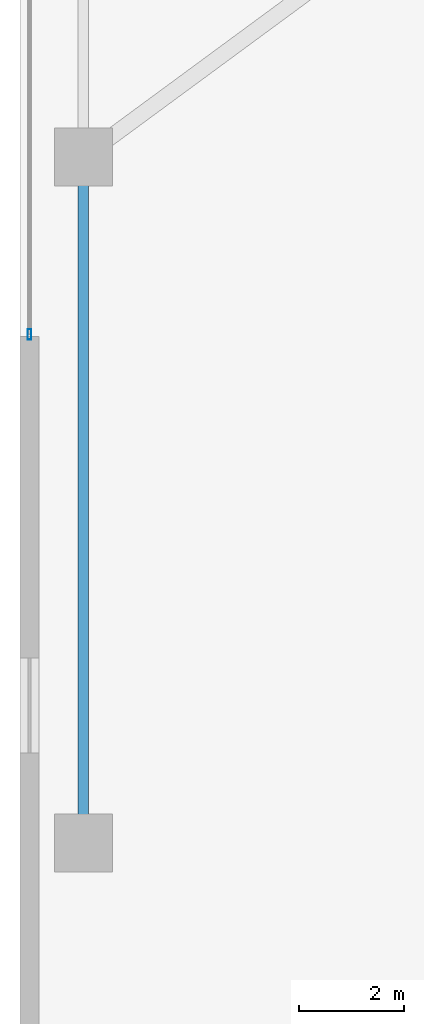
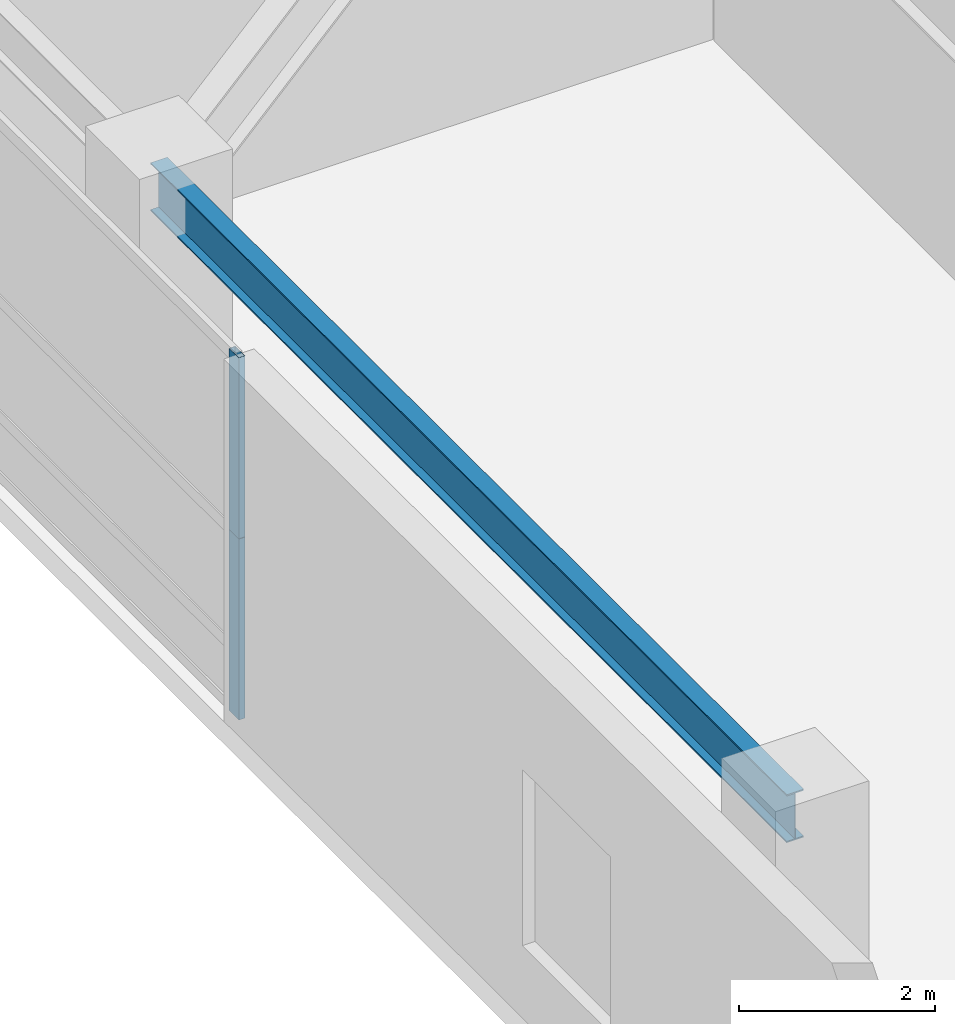
# One storey, part 5 of 38: 2 members, 1 beam, 1 element without a shape of its own.
"""IFC4 building model written with IfcOpenShell, lengths in metres."""

from ifc_helpers import new_model, si_unit, direction, frame, origin, origin_2d, place, context, subcontext, project, spatial, hollow_rectangle, i_section, extrude, source, transform, mapped, material, layer, layer_set, material_profile, profile_set, type_object, element, aggregate, save


model = new_model("IFC4")

# Units and contexts
model_context = context("Model", 3, precision=1e-05, world=origin(), true_north=direction((0.0, 1.0)))
body_context = subcontext(model_context, "Body", "Model", "MODEL_VIEW")
ifc_project = project(units=[si_unit("LENGTHUNIT", "METRE"), si_unit("AREAUNIT", "SQUARE_METRE"), si_unit("VOLUMEUNIT", "CUBIC_METRE"), si_unit("PLANEANGLEUNIT", "RADIAN"), si_unit("MASSUNIT", "GRAM", prefix="KILO"), si_unit("THERMODYNAMICTEMPERATUREUNIT", "KELVIN"), si_unit("POWERUNIT", "WATT")], contexts=[model_context])

# Site, building, storey
site_placement = place(None, origin())
site = spatial("IfcSite", under=ifc_project, at=site_placement, CompositionType="ELEMENT")
building_placement = place(site_placement, origin())
building = spatial("IfcBuilding", under=site, at=building_placement, Name="Yuzanri Waterfront Tower", CompositionType="ELEMENT")
storey_placement = place(building_placement, frame((0.0, 0.0, 10.199951171875)))
storey = spatial("IfcBuildingStorey", under=building, at=storey_placement, Name="L03", CompositionType="ELEMENT", Elevation=10.199951171875)

# Beam
ifc_material_1 = material(Name="Steel Q355B", Category="steel")
ifc_material_profile_1 = material_profile(ifc_material_1, i_section(OverallWidth=0.199951171875, OverallDepth=0.60009765625, WebThickness=0.010986328125, FlangeThickness=0.01708984375, at=origin_2d()), Name="HN 600x200x11x17")
ifc_profile_set_1 = profile_set([ifc_material_profile_1], Name="Steel Q355B")
beam_type = type_object("IfcBeamType", Name="Perimeter Spandrel Q355B HN 600x200", PredefinedType="SPANDREL", material=ifc_profile_set_1)
shared_shape_1 = source(origin(), body_context, "Body", "SweptSolid", [
    extrude(i_section(OverallWidth=0.199951171875, OverallDepth=0.60009765625, WebThickness=0.010986328125, FlangeThickness=0.01708984375, at=origin_2d()), origin(), (0.0, 0.0, 1.0), 13.0),
])
beam_placement = place(storey_placement, frame((3.199951171875, 6.39990234375, 4.219970703125), z_axis=(0.0, 1.0, 0.0), x_axis=(-1.0, 0.0, 0.0)))
element("IfcBeam", 1, at=beam_placement, inside=storey, type_object=beam_type, Name="L03 West Podium Spandrel 1", PredefinedType="SPANDREL", context=body_context, shape_type="MappedRepresentation", body=[
    mapped(shared_shape_1, transform((0.0, 0.0, 0.0), scale=1.0)),
])

# Curtain wall, members
ifc_material_2 = material(Name="Anodized Architectural Bronze", Category="metal")
ifc_layer = layer(ifc_material_2, 0.159912109375)
ifc_layer_set = layer_set([ifc_layer], Name="Anodized Architectural Bronze")
curtain_wall_type = type_object("IfcCurtainWallType", Name="Anodized Bronze Podium Waterfront Double-Height Unitized Curtain Wall 8400", PredefinedType="NOTDEFINED", material=ifc_layer_set)
curtain_wall_placement = place(storey_placement, origin())
curtain_wall = element("IfcCurtainWall", 2, at=curtain_wall_placement, inside=storey, type_object=curtain_wall_type, Name="L03 Curtain Wall CW-L03-W", PredefinedType="NOTDEFINED")
ifc_material_3 = material(Name="Anodized Architectural Bronze", Category="metal")
ifc_material_profile_2 = material_profile(ifc_material_3, hollow_rectangle(XDim=0.074951171875, YDim=0.199951171875, WallThickness=0.00390625, at=origin_2d()), Name="CWM 75x200")
ifc_profile_set_2 = profile_set([ifc_material_profile_2], Name="Anodized Architectural Bronze")
member_type = type_object("IfcMemberType", Name="Anodized Bronze Primary Curtain-Wall Mullion 75x200", PredefinedType="MULLION", material=ifc_profile_set_2)
shared_shape_2 = source(origin(), body_context, "Body", "SweptSolid", [
    extrude(hollow_rectangle(XDim=0.074951171875, YDim=0.199951171875, WallThickness=0.00390625, at=origin_2d()), origin(), (0.0, 0.0, 1.0), 2.258056640625),
])
member_1_placement = place(storey_placement, frame((2.179931640625, 16.0400390625, 0.0), z_axis=(0.0, 0.0, 1.0), x_axis=(1.0, 0.0, 0.0)))
member_1 = element("IfcMember", 3, at=member_1_placement, type_object=member_type, Name="CW-L03-W Lower Mullion 00", PredefinedType="MULLION", context=body_context, shape_type="MappedRepresentation", body=[
    mapped(shared_shape_2, transform((0.0, 0.0, 0.0), scale=1.0)),
])
member_2_placement = place(storey_placement, frame((2.179931640625, 16.0400390625, 2.261962890625), z_axis=(0.0, 0.0, 1.0), x_axis=(1.0, 0.0, 0.0)))
member_2 = element("IfcMember", 4, at=member_2_placement, type_object=member_type, Name="CW-L03-W Upper Mullion 00", PredefinedType="MULLION", context=body_context, shape_type="MappedRepresentation", body=[
    mapped(shared_shape_2, transform((0.0, 0.0, 0.0), scale=1.0)),
])
aggregate(curtain_wall, [member_1, member_2])

save(model, "model.ifc")
